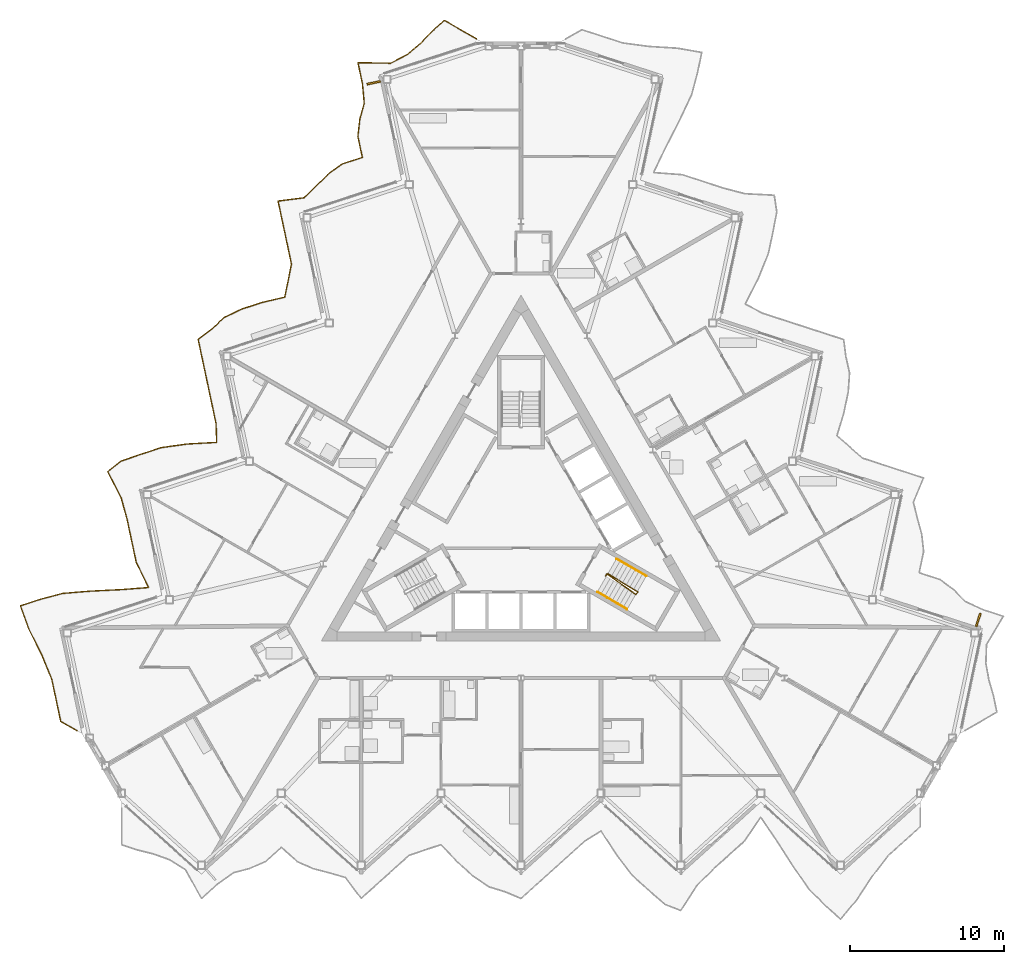
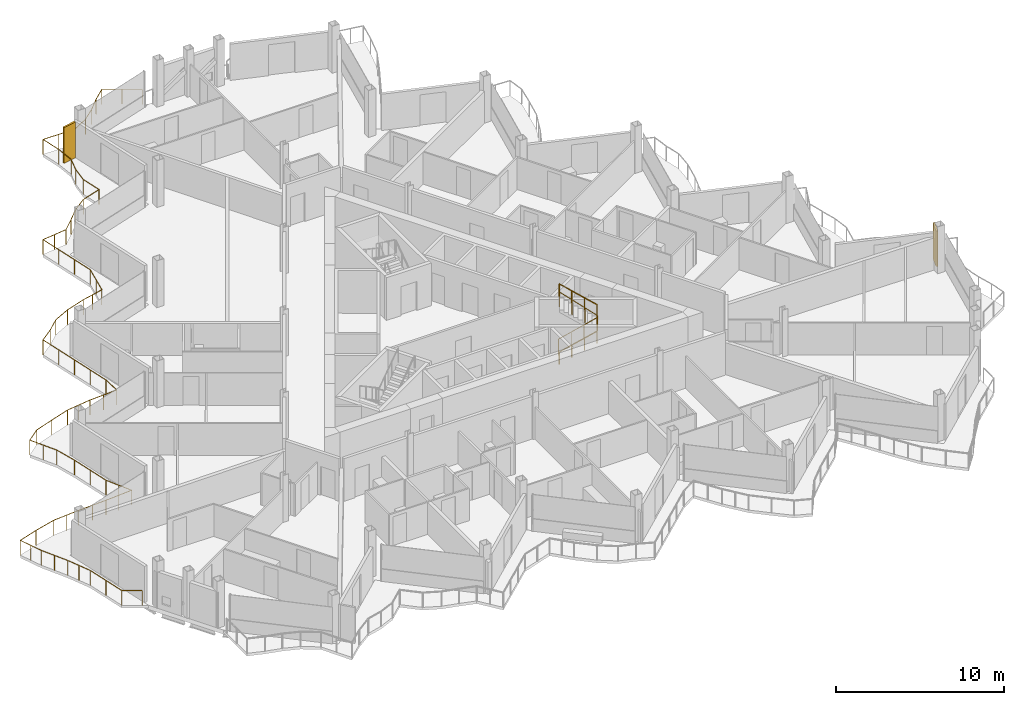
# One storey, part 23 of 26: 4 railings, 2 shading devices.
"""IFC4 building model written with IfcOpenShell, lengths in metres."""

from ifc_helpers import new_model, si_unit, direction, frame, origin, origin_2d, place, context, subcontext, project, spatial, rectangle, circle, extrude, material, layer, layer_set, type_object, element, save


model = new_model("IFC4")

# Units and contexts
model_context = context("Model", 3, precision=1e-05, world=origin(), true_north=direction((0.0, 1.0)))
body_context = subcontext(model_context, "Body", "Model", "MODEL_VIEW")
ifc_project = project(units=[si_unit("LENGTHUNIT", "METRE"), si_unit("AREAUNIT", "SQUARE_METRE"), si_unit("VOLUMEUNIT", "CUBIC_METRE"), si_unit("PLANEANGLEUNIT", "RADIAN"), si_unit("MASSUNIT", "GRAM", prefix="KILO")], contexts=[model_context])

# Site, building, storey
site_placement = place(None, origin())
site = spatial("IfcSite", under=ifc_project, at=site_placement, CompositionType="ELEMENT")
building_placement = place(site_placement, origin())
building = spatial("IfcBuilding", under=site, at=building_placement, Name="Cormorant Prow Tower", CompositionType="ELEMENT")
storey_placement = place(building_placement, frame((0.0, 0.0, 378.0)))
storey = spatial("IfcBuildingStorey", under=building, at=storey_placement, Name="L85", CompositionType="ELEMENT", Elevation=378.0)

# Railings
ifc_material_1 = material(Name="Aluminium 6063-T6", Category="aluminium")
railing_type_1 = type_object("IfcRailingType", Name="Balcony guard 1100", PredefinedType="GUARDRAIL", material=ifc_material_1)
railing_1_placement = place(storey_placement, frame((-2.9033203125, 31.698486328125, 0.0)))
element("IfcRailing", 1, at=railing_1_placement, inside=storey, type_object=railing_type_1, Name="Balcony guard WNW", PredefinedType="GUARDRAIL", context=body_context, shape_type="SweptSolid", body=[
    extrude(circle(Radius=0.02392578125, at=origin_2d()), frame((0.0, 0.0, 1.076171875), z_axis=(-0.866028295127, 0.499994992015, 0.0), x_axis=(-0.499994992015, -0.866028295127, 0.0)), (0.0, 0.0, 1.0), 2.40380859375),
    extrude(circle(Radius=0.02392578125, at=origin_2d()), frame((-2.081787109375, 1.201904296875, 1.076171875), z_axis=(-0.747028027556, -0.664792543615, 0.0), x_axis=(0.664792543615, -0.747028027556, 0.0)), (0.0, 0.0, 1.0), 1.095458984375),
    extrude(circle(Radius=0.02392578125, at=origin_2d()), frame((-2.900146484375, 0.4736328125, 1.076171875), z_axis=(-0.694236727025, -0.719746737992, 0.0), x_axis=(0.719746737992, -0.694236727025, 0.0)), (0.0, 0.0, 1.0), 1.07177734375),
    extrude(circle(Radius=0.02392578125, at=origin_2d()), frame((-3.644287109375, -0.2978515625, 1.076171875), z_axis=(-0.76253887215, -0.646942399647, 0.0), x_axis=(0.646942399647, -0.76253887215, 0.0)), (0.0, 0.0, 1.0), 1.1044921875),
    extrude(circle(Radius=0.02392578125, at=origin_2d()), frame((-4.486572265625, -1.012451171875, 1.076171875), z_axis=(-0.883594298779, -0.468253259641, 0.0), x_axis=(0.468253259641, -0.883594298779, 0.0)), (0.0, 0.0, 1.0), 1.227294921875),
    extrude(circle(Radius=0.02392578125, at=origin_2d()), frame((-5.571044921875, -1.587158203125, 1.076171875), z_axis=(-0.999868822817, 0.016196825558, 0.0), x_axis=(-0.016196825558, -0.999868822817, 0.0)), (0.0, 0.0, 1.0), 2.140380859375),
    extrude(circle(Radius=0.02392578125, at=origin_2d()), frame((-7.711181640625, -1.552490234375, 1.076171875), z_axis=(0.207812845083, -0.978168605823, 0.0), x_axis=(0.978168605823, 0.207812845083, 0.0)), (0.0, 0.0, 1.0), 1.399169921875),
    extrude(circle(Radius=0.02392578125, at=origin_2d()), frame((-7.42041015625, -2.921142578125, 1.076171875), z_axis=(0.092331865251, -0.995728289575, 0.0), x_axis=(0.995728289575, 0.092331865251, 0.0)), (0.0, 0.0, 1.0), 1.2744140625),
    extrude(circle(Radius=0.02392578125, at=origin_2d()), frame((-7.302734375, -4.190185546875, 1.076171875), z_axis=(-0.265615902579, -0.964078934682, 0.0), x_axis=(0.964078934682, -0.265615902579, 0.0)), (0.0, 0.0, 1.0), 1.074462890625),
    extrude(circle(Radius=0.02392578125, at=origin_2d()), frame((-7.588134765625, -5.22607421875, 1.076171875), z_axis=(-0.113242992784, -0.993567322624, 0.0), x_axis=(0.993567322624, -0.113242992784, 0.0)), (0.0, 0.0, 1.0), 1.134033203125),
    extrude(circle(Radius=0.02392578125, at=origin_2d()), frame((-7.716552734375, -6.352783203125, 1.076171875), z_axis=(0.207944297815, -0.978140669335, 0.0), x_axis=(0.978140669335, 0.207944297815, 0.0)), (0.0, 0.0, 1.0), 1.3994140625),
    extrude(circle(Radius=0.02392578125, at=origin_2d()), frame((-7.425537109375, -7.7216796875, 1.076171875), z_axis=(-0.951028941009, -0.309101849499, 0.0), x_axis=(0.309101849499, -0.951028941009, 0.0)), (0.0, 0.0, 1.0), 1.399658203125),
    extrude(circle(Radius=0.02392578125, at=origin_2d()), frame((-8.756591796875, -8.154296875, 1.076171875), z_axis=(-0.806097358344, -0.591782940672, 0.0), x_axis=(0.591782940672, -0.806097358344, 0.0)), (0.0, 0.0, 1.0), 1.1357421875),
    extrude(circle(Radius=0.02392578125, at=origin_2d()), frame((-9.672119140625, -8.826416015625, 1.076171875), z_axis=(-0.70254935374, -0.711635022718, 0.0), x_axis=(0.711635022718, -0.70254935374, 0.0)), (0.0, 0.0, 1.0), 1.074951171875),
    extrude(circle(Radius=0.02392578125, at=origin_2d()), frame((-10.42724609375, -9.59130859375, 1.076171875), z_axis=(-0.720069694102, -0.693901747825, 0.0), x_axis=(0.693901747825, -0.720069694102, 0.0)), (0.0, 0.0, 1.0), 1.082275390625),
    extrude(circle(Radius=0.02392578125, at=origin_2d()), frame((-11.20654296875, -10.34228515625, 1.076171875), z_axis=(-0.992011169579, -0.126150067104, 0.0), x_axis=(0.126150067104, -0.992011169579, 0.0)), (0.0, 0.0, 1.0), 1.718505859375),
    extrude(circle(Radius=0.02392578125, at=origin_2d()), frame((-12.911376953125, -10.55908203125, 1.076171875), z_axis=(0.207944297815, -0.978140669335, 0.0), x_axis=(0.978140669335, 0.207944297815, 0.0)), (0.0, 0.0, 1.0), 1.3994140625),
    extrude(circle(Radius=0.02392578125, at=origin_2d()), frame((-12.620361328125, -11.927978515625, 1.076171875), z_axis=(0.207944297815, -0.978140669335, 0.0), x_axis=(0.978140669335, 0.207944297815, 0.0)), (0.0, 0.0, 1.0), 1.3994140625),
    extrude(circle(Radius=0.02392578125, at=origin_2d()), frame((-12.329345703125, -13.296875, 1.076171875), z_axis=(0.207944297815, -0.978140669335, 0.0), x_axis=(0.978140669335, 0.207944297815, 0.0)), (0.0, 0.0, 1.0), 1.3994140625),
    extrude(circle(Radius=0.02392578125, at=origin_2d()), frame((-12.038330078125, -14.665771484375, 1.076171875), z_axis=(-0.198084601459, -0.980184926769, 0.0), x_axis=(0.980184926769, -0.198084601459, 0.0)), (0.0, 0.0, 1.0), 1.096923828125),
    extrude(circle(Radius=0.02392578125, at=origin_2d()), frame((-12.255615234375, -15.740966796875, 1.076171875), z_axis=(-0.203482527061, -0.979078577633, 0.0), x_axis=(0.979078577633, -0.203482527061, 0.0)), (0.0, 0.0, 1.0), 1.095458984375),
    extrude(circle(Radius=0.02392578125, at=origin_2d()), frame((-12.478515625, -16.8134765625, 1.076171875), z_axis=(-0.973469863135, -0.228815265154, 0.0), x_axis=(0.228815265154, -0.973469863135, 0.0)), (0.0, 0.0, 1.0), 1.518310546875),
    extrude(circle(Radius=0.02392578125, at=origin_2d()), frame((-13.95654296875, -17.160888671875, 1.076171875), z_axis=(-0.951080208938, -0.308944066403, 0.0), x_axis=(0.308944066403, -0.951080208938, 0.0)), (0.0, 0.0, 1.0), 1.3994140625),
    extrude(circle(Radius=0.02392578125, at=origin_2d()), frame((-15.28759765625, -17.59326171875, 1.076171875), z_axis=(-0.899160631428, -0.437618736905, 0.0), x_axis=(0.437618736905, -0.899160631428, 0.0)), (0.0, 0.0, 1.0), 1.255126953125),
    extrude(circle(Radius=0.02392578125, at=origin_2d()), frame((-16.416259765625, -18.142578125, 1.076171875), z_axis=(-0.733719269068, -0.679452746111, 0.0), x_axis=(0.679452746111, -0.733719269068, 0.0)), (0.0, 0.0, 1.0), 1.088623046875),
    extrude(circle(Radius=0.02392578125, at=origin_2d()), frame((-17.215087890625, -18.88232421875, 1.076171875), z_axis=(-0.795217846059, -0.606323822152, 0.0), x_axis=(0.606323822152, -0.795217846059, 0.0)), (0.0, 0.0, 1.0), 1.126953125),
    extrude(circle(Radius=0.02392578125, at=origin_2d()), frame((-18.111328125, -19.565673828125, 1.076171875), z_axis=(0.207944297815, -0.978140669335, 0.0), x_axis=(0.978140669335, 0.207944297815, 0.0)), (0.0, 0.0, 1.0), 1.3994140625),
    extrude(circle(Radius=0.02392578125, at=origin_2d()), frame((-17.8203125, -20.9345703125, 1.076171875), z_axis=(0.207944297815, -0.978140669335, 0.0), x_axis=(0.978140669335, 0.207944297815, 0.0)), (0.0, 0.0, 1.0), 1.3994140625),
    extrude(circle(Radius=0.02392578125, at=origin_2d()), frame((-17.529296875, -22.303466796875, 1.076171875), z_axis=(0.207944297815, -0.978140669335, 0.0), x_axis=(0.978140669335, 0.207944297815, 0.0)), (0.0, 0.0, 1.0), 1.3994140625),
    extrude(circle(Radius=0.02392578125, at=origin_2d()), frame((-17.23828125, -23.67236328125, 1.076171875), z_axis=(0.20777738218, -0.978176139279, 0.0), x_axis=(0.978176139279, 0.20777738218, 0.0)), (0.0, 0.0, 1.0), 1.3994140625),
    extrude(circle(Radius=0.02392578125, at=origin_2d()), frame((-16.947509765625, -25.041259765625, 1.076171875), z_axis=(0.031128847929, -0.999515379985, 0.0), x_axis=(0.999515379985, 0.031128847929, 0.0)), (0.0, 0.0, 1.0), 1.223388671875),
    extrude(circle(Radius=0.02392578125, at=origin_2d()), frame((-16.909423828125, -26.26416015625, 1.076171875), z_axis=(-0.998465882312, -0.05537040598, 0.0), x_axis=(0.05537040598, -0.998465882312, 0.0)), (0.0, 0.0, 1.0), 1.900390625),
    extrude(circle(Radius=0.02392578125, at=origin_2d()), frame((-18.806884765625, -26.369384765625, 1.076171875), z_axis=(-0.99070891835, -0.13599940846, 0.0), x_axis=(0.13599940846, -0.99070891835, 0.0)), (0.0, 0.0, 1.0), 1.696533203125),
    extrude(circle(Radius=0.02392578125, at=origin_2d()), frame((-20.487548828125, -26.60009765625, 1.076171875), z_axis=(-0.951063554534, -0.308995332064, 0.0), x_axis=(0.308995332064, -0.951063554534, 0.0)), (0.0, 0.0, 1.0), 1.399169921875),
    extrude(circle(Radius=0.02392578125, at=origin_2d()), frame((-21.818359375, -27.032470703125, 1.076171875), z_axis=(-0.945316455865, -0.326154561934, 0.0), x_axis=(0.326154561934, -0.945316455865, 0.0)), (0.0, 0.0, 1.0), 1.377197265625),
    extrude(circle(Radius=0.02392578125, at=origin_2d()), frame((-23.120361328125, -27.481689453125, 1.076171875), z_axis=(-0.781124687772, -0.624375065288, 0.0), x_axis=(0.624375065288, -0.781124687772, 0.0)), (0.0, 0.0, 1.0), 1.11669921875),
    extrude(circle(Radius=0.02392578125, at=origin_2d()), frame((-23.99267578125, -28.178955078125, 1.076171875), z_axis=(0.456008801075, -0.889975265579, 0.0), x_axis=(0.889975265579, 0.456008801075, 0.0)), (0.0, 0.0, 1.0), 1.916259765625),
    extrude(circle(Radius=0.02392578125, at=origin_2d()), frame((-23.118896484375, -29.88427734375, 1.076171875), z_axis=(0.263466814017, -0.9646684601, 0.0), x_axis=(0.9646684601, 0.263466814017, 0.0)), (0.0, 0.0, 1.0), 1.47802734375),
    extrude(circle(Radius=0.02392578125, at=origin_2d()), frame((-22.7294921875, -31.31005859375, 1.076171875), z_axis=(0.207944297815, -0.978140669335, 0.0), x_axis=(0.978140669335, 0.207944297815, 0.0)), (0.0, 0.0, 1.0), 1.3994140625),
    extrude(circle(Radius=0.02392578125, at=origin_2d()), frame((-22.4384765625, -32.678955078125, 1.076171875), z_axis=(0.207944297815, -0.978140669335, 0.0), x_axis=(0.978140669335, 0.207944297815, 0.0)), (0.0, 0.0, 1.0), 1.3994140625),
    extrude(circle(Radius=0.02392578125, at=origin_2d()), frame((-22.1474609375, -34.0478515625, 1.076171875), z_axis=(0.434486752243, -0.90067822341, 0.0), x_axis=(0.90067822341, 0.434486752243, 0.0)), (0.0, 0.0, 1.0), 1.84814453125),
    extrude(circle(Radius=0.02392578125, at=origin_2d()), frame((-21.344482421875, -35.71240234375, 1.076171875), z_axis=(-0.997204239549, -0.074724190364, 0.0), x_axis=(0.074724190364, -0.997204239549, 0.0)), (0.0, 0.0, 1.0), 1.845947265625),
    extrude(circle(Radius=0.02392578125, at=origin_2d()), frame((-23.185302734375, -35.850341796875, 1.076171875), z_axis=(-0.998814010326, -0.048688528186, 0.0), x_axis=(0.048688528186, -0.998814010326, 0.0)), (0.0, 0.0, 1.0), 1.92041015625),
    extrude(circle(Radius=0.02392578125, at=origin_2d()), frame((-25.103515625, -35.94384765625, 1.076171875), z_axis=(-0.996687929832, -0.081321402635, 0.0), x_axis=(0.081321402635, -0.996687929832, 0.0)), (0.0, 0.0, 1.0), 1.828369140625),
    extrude(circle(Radius=0.02392578125, at=origin_2d()), frame((-26.92578125, -36.092529296875, 1.076171875), z_axis=(-0.966314659055, -0.257363516637, 0.0), x_axis=(0.257363516637, -0.966314659055, 0.0)), (0.0, 0.0, 1.0), 1.47314453125),
    extrude(circle(Radius=0.02392578125, at=origin_2d()), frame((-28.349365234375, -36.4716796875, 1.076171875), z_axis=(-0.951080208938, -0.308944066403, 0.0), x_axis=(0.308944066403, -0.951080208938, 0.0)), (0.0, 0.0, 1.0), 1.3994140625),
    extrude(circle(Radius=0.02392578125, at=origin_2d()), frame((-29.680419921875, -36.904052734375, 1.076171875), z_axis=(0.34291675065, -0.939365797825, 0.0), x_axis=(0.939365797825, 0.34291675065, 0.0)), (0.0, 0.0, 1.0), 1.61962890625),
    extrude(circle(Radius=0.02392578125, at=origin_2d()), frame((-29.125, -38.425537109375, 1.076171875), z_axis=(0.445968959957, -0.895048427045, 0.0), x_axis=(0.895048427045, 0.445968959957, 0.0)), (0.0, 0.0, 1.0), 1.8837890625),
    extrude(circle(Radius=0.02392578125, at=origin_2d()), frame((-28.284912109375, -40.111572265625, 1.076171875), z_axis=(0.379883781197, -0.925034222493, 0.0), x_axis=(0.925034222493, 0.379883781197, 0.0)), (0.0, 0.0, 1.0), 1.701904296875),
    extrude(circle(Radius=0.02392578125, at=origin_2d()), frame((-27.638427734375, -41.685791015625, 1.076171875), z_axis=(0.207979786632, -0.978133124044, 0.0), x_axis=(0.978133124044, 0.207979786632, 0.0)), (0.0, 0.0, 1.0), 1.399169921875),
    extrude(circle(Radius=0.02392578125, at=origin_2d()), frame((-27.347412109375, -43.054443359375, 1.076171875), z_axis=(0.207944297815, -0.978140669335, 0.0), x_axis=(0.978140669335, 0.207944297815, 0.0)), (0.0, 0.0, 1.0), 1.3994140625),
    extrude(circle(Radius=0.02392578125, at=origin_2d()), frame((-27.056396484375, -44.42333984375, 1.076171875), z_axis=(0.865955602162, -0.500120880472, 0.0), x_axis=(0.500120880472, 0.865955602162, 0.0)), (0.0, 0.0, 1.0), 1.219970703125),
    extrude(circle(Radius=0.02099609375, at=origin_2d()), origin(), (0.0, 0.0, 1.0), 1.052001953125),
    extrude(circle(Radius=0.02099609375, at=origin_2d()), frame((-1.041015625, 0.60107421875, 0.0)), (0.0, 0.0, 1.0), 1.052001953125),
    extrude(circle(Radius=0.02099609375, at=origin_2d()), frame((-2.081787109375, 1.201904296875, 0.0)), (0.0, 0.0, 1.0), 1.052001953125),
    extrude(circle(Radius=0.02099609375, at=origin_2d()), frame((-2.900146484375, 0.4736328125, 0.0)), (0.0, 0.0, 1.0), 1.052001953125),
    extrude(circle(Radius=0.02099609375, at=origin_2d()), frame((-3.644287109375, -0.2978515625, 0.0)), (0.0, 0.0, 1.0), 1.052001953125),
    extrude(circle(Radius=0.02099609375, at=origin_2d()), frame((-4.486572265625, -1.012451171875, 0.0)), (0.0, 0.0, 1.0), 1.052001953125),
    extrude(circle(Radius=0.02099609375, at=origin_2d()), frame((-5.571044921875, -1.587158203125, 0.0)), (0.0, 0.0, 1.0), 1.052001953125),
    extrude(circle(Radius=0.02099609375, at=origin_2d()), frame((-6.64111328125, -1.56982421875, 0.0)), (0.0, 0.0, 1.0), 1.052001953125),
    extrude(circle(Radius=0.02099609375, at=origin_2d()), frame((-7.711181640625, -1.552490234375, 0.0)), (0.0, 0.0, 1.0), 1.052001953125),
    extrude(circle(Radius=0.02099609375, at=origin_2d()), frame((-7.42041015625, -2.921142578125, 0.0)), (0.0, 0.0, 1.0), 1.052001953125),
    extrude(circle(Radius=0.02099609375, at=origin_2d()), frame((-7.302734375, -4.190185546875, 0.0)), (0.0, 0.0, 1.0), 1.052001953125),
    extrude(circle(Radius=0.02099609375, at=origin_2d()), frame((-7.588134765625, -5.22607421875, 0.0)), (0.0, 0.0, 1.0), 1.052001953125),
    extrude(circle(Radius=0.02099609375, at=origin_2d()), frame((-7.716552734375, -6.352783203125, 0.0)), (0.0, 0.0, 1.0), 1.052001953125),
    extrude(circle(Radius=0.02099609375, at=origin_2d()), frame((-7.425537109375, -7.7216796875, 0.0)), (0.0, 0.0, 1.0), 1.052001953125),
    extrude(circle(Radius=0.02099609375, at=origin_2d()), frame((-8.756591796875, -8.154296875, 0.0)), (0.0, 0.0, 1.0), 1.052001953125),
    extrude(circle(Radius=0.02099609375, at=origin_2d()), frame((-9.672119140625, -8.826416015625, 0.0)), (0.0, 0.0, 1.0), 1.052001953125),
    extrude(circle(Radius=0.02099609375, at=origin_2d()), frame((-10.42724609375, -9.59130859375, 0.0)), (0.0, 0.0, 1.0), 1.052001953125),
    extrude(circle(Radius=0.02099609375, at=origin_2d()), frame((-11.20654296875, -10.34228515625, 0.0)), (0.0, 0.0, 1.0), 1.052001953125),
    extrude(circle(Radius=0.02099609375, at=origin_2d()), frame((-12.05908203125, -10.45068359375, 0.0)), (0.0, 0.0, 1.0), 1.052001953125),
    extrude(circle(Radius=0.02099609375, at=origin_2d()), frame((-12.911376953125, -10.55908203125, 0.0)), (0.0, 0.0, 1.0), 1.052001953125),
    extrude(circle(Radius=0.02099609375, at=origin_2d()), frame((-12.620361328125, -11.927978515625, 0.0)), (0.0, 0.0, 1.0), 1.052001953125),
    extrude(circle(Radius=0.02099609375, at=origin_2d()), frame((-12.329345703125, -13.296875, 0.0)), (0.0, 0.0, 1.0), 1.052001953125),
    extrude(circle(Radius=0.02099609375, at=origin_2d()), frame((-12.038330078125, -14.665771484375, 0.0)), (0.0, 0.0, 1.0), 1.052001953125),
    extrude(circle(Radius=0.02099609375, at=origin_2d()), frame((-12.255615234375, -15.740966796875, 0.0)), (0.0, 0.0, 1.0), 1.052001953125),
    extrude(circle(Radius=0.02099609375, at=origin_2d()), frame((-12.478515625, -16.8134765625, 0.0)), (0.0, 0.0, 1.0), 1.052001953125),
    extrude(circle(Radius=0.02099609375, at=origin_2d()), frame((-13.217529296875, -16.9873046875, 0.0)), (0.0, 0.0, 1.0), 1.052001953125),
    extrude(circle(Radius=0.02099609375, at=origin_2d()), frame((-13.95654296875, -17.160888671875, 0.0)), (0.0, 0.0, 1.0), 1.052001953125),
    extrude(circle(Radius=0.02099609375, at=origin_2d()), frame((-15.28759765625, -17.59326171875, 0.0)), (0.0, 0.0, 1.0), 1.052001953125),
    extrude(circle(Radius=0.02099609375, at=origin_2d()), frame((-16.416259765625, -18.142578125, 0.0)), (0.0, 0.0, 1.0), 1.052001953125),
    extrude(circle(Radius=0.02099609375, at=origin_2d()), frame((-17.215087890625, -18.88232421875, 0.0)), (0.0, 0.0, 1.0), 1.052001953125),
    extrude(circle(Radius=0.02099609375, at=origin_2d()), frame((-18.111328125, -19.565673828125, 0.0)), (0.0, 0.0, 1.0), 1.052001953125),
    extrude(circle(Radius=0.02099609375, at=origin_2d()), frame((-17.8203125, -20.9345703125, 0.0)), (0.0, 0.0, 1.0), 1.052001953125),
    extrude(circle(Radius=0.02099609375, at=origin_2d()), frame((-17.529296875, -22.303466796875, 0.0)), (0.0, 0.0, 1.0), 1.052001953125),
    extrude(circle(Radius=0.02099609375, at=origin_2d()), frame((-17.23828125, -23.67236328125, 0.0)), (0.0, 0.0, 1.0), 1.052001953125),
    extrude(circle(Radius=0.02099609375, at=origin_2d()), frame((-16.947509765625, -25.041259765625, 0.0)), (0.0, 0.0, 1.0), 1.052001953125),
    extrude(circle(Radius=0.02099609375, at=origin_2d()), frame((-16.909423828125, -26.26416015625, 0.0)), (0.0, 0.0, 1.0), 1.052001953125),
    extrude(circle(Radius=0.02099609375, at=origin_2d()), frame((-17.858154296875, -26.31689453125, 0.0)), (0.0, 0.0, 1.0), 1.052001953125),
    extrude(circle(Radius=0.02099609375, at=origin_2d()), frame((-18.806884765625, -26.369384765625, 0.0)), (0.0, 0.0, 1.0), 1.052001953125),
    extrude(circle(Radius=0.02099609375, at=origin_2d()), frame((-19.647216796875, -26.48486328125, 0.0)), (0.0, 0.0, 1.0), 1.052001953125),
    extrude(circle(Radius=0.02099609375, at=origin_2d()), frame((-20.487548828125, -26.60009765625, 0.0)), (0.0, 0.0, 1.0), 1.052001953125),
    extrude(circle(Radius=0.02099609375, at=origin_2d()), frame((-21.818359375, -27.032470703125, 0.0)), (0.0, 0.0, 1.0), 1.052001953125),
    extrude(circle(Radius=0.02099609375, at=origin_2d()), frame((-23.120361328125, -27.481689453125, 0.0)), (0.0, 0.0, 1.0), 1.052001953125),
    extrude(circle(Radius=0.02099609375, at=origin_2d()), frame((-23.99267578125, -28.178955078125, 0.0)), (0.0, 0.0, 1.0), 1.052001953125),
    extrude(circle(Radius=0.02099609375, at=origin_2d()), frame((-23.5556640625, -29.03173828125, 0.0)), (0.0, 0.0, 1.0), 1.052001953125),
    extrude(circle(Radius=0.02099609375, at=origin_2d()), frame((-23.118896484375, -29.88427734375, 0.0)), (0.0, 0.0, 1.0), 1.052001953125),
    extrude(circle(Radius=0.02099609375, at=origin_2d()), frame((-22.7294921875, -31.31005859375, 0.0)), (0.0, 0.0, 1.0), 1.052001953125),
    extrude(circle(Radius=0.02099609375, at=origin_2d()), frame((-22.4384765625, -32.678955078125, 0.0)), (0.0, 0.0, 1.0), 1.052001953125),
    extrude(circle(Radius=0.02099609375, at=origin_2d()), frame((-22.1474609375, -34.0478515625, 0.0)), (0.0, 0.0, 1.0), 1.052001953125),
    extrude(circle(Radius=0.02099609375, at=origin_2d()), frame((-21.74609375, -34.880126953125, 0.0)), (0.0, 0.0, 1.0), 1.052001953125),
    extrude(circle(Radius=0.02099609375, at=origin_2d()), frame((-21.344482421875, -35.71240234375, 0.0)), (0.0, 0.0, 1.0), 1.052001953125),
    extrude(circle(Radius=0.02099609375, at=origin_2d()), frame((-22.264892578125, -35.78125, 0.0)), (0.0, 0.0, 1.0), 1.052001953125),
    extrude(circle(Radius=0.02099609375, at=origin_2d()), frame((-23.185302734375, -35.850341796875, 0.0)), (0.0, 0.0, 1.0), 1.052001953125),
    extrude(circle(Radius=0.02099609375, at=origin_2d()), frame((-24.14453125, -35.89697265625, 0.0)), (0.0, 0.0, 1.0), 1.052001953125),
    extrude(circle(Radius=0.02099609375, at=origin_2d()), frame((-25.103515625, -35.94384765625, 0.0)), (0.0, 0.0, 1.0), 1.052001953125),
    extrude(circle(Radius=0.02099609375, at=origin_2d()), frame((-26.0146484375, -36.01806640625, 0.0)), (0.0, 0.0, 1.0), 1.052001953125),
    extrude(circle(Radius=0.02099609375, at=origin_2d()), frame((-26.92578125, -36.092529296875, 0.0)), (0.0, 0.0, 1.0), 1.052001953125),
    extrude(circle(Radius=0.02099609375, at=origin_2d()), frame((-28.349365234375, -36.4716796875, 0.0)), (0.0, 0.0, 1.0), 1.052001953125),
    extrude(circle(Radius=0.02099609375, at=origin_2d()), frame((-29.680419921875, -36.904052734375, 0.0)), (0.0, 0.0, 1.0), 1.052001953125),
    extrude(circle(Radius=0.02099609375, at=origin_2d()), frame((-29.40283203125, -37.664794921875, 0.0)), (0.0, 0.0, 1.0), 1.052001953125),
    extrude(circle(Radius=0.02099609375, at=origin_2d()), frame((-29.125, -38.425537109375, 0.0)), (0.0, 0.0, 1.0), 1.052001953125),
    extrude(circle(Radius=0.02099609375, at=origin_2d()), frame((-28.705078125, -39.2685546875, 0.0)), (0.0, 0.0, 1.0), 1.052001953125),
    extrude(circle(Radius=0.02099609375, at=origin_2d()), frame((-28.284912109375, -40.111572265625, 0.0)), (0.0, 0.0, 1.0), 1.052001953125),
    extrude(circle(Radius=0.02099609375, at=origin_2d()), frame((-27.961669921875, -40.898681640625, 0.0)), (0.0, 0.0, 1.0), 1.052001953125),
    extrude(circle(Radius=0.02099609375, at=origin_2d()), frame((-27.638427734375, -41.685791015625, 0.0)), (0.0, 0.0, 1.0), 1.052001953125),
    extrude(circle(Radius=0.02099609375, at=origin_2d()), frame((-27.347412109375, -43.054443359375, 0.0)), (0.0, 0.0, 1.0), 1.052001953125),
    extrude(circle(Radius=0.02099609375, at=origin_2d()), frame((-27.056396484375, -44.42333984375, 0.0)), (0.0, 0.0, 1.0), 1.052001953125),
    extrude(circle(Radius=0.02099609375, at=origin_2d()), frame((-26.0, -45.033447265625, 0.0)), (0.0, 0.0, 1.0), 1.052001953125),
])
ifc_material_2 = material(Name="Stainless steel", Category="steel")
railing_type_2 = type_object("IfcRailingType", Name="Stair guard 1100", PredefinedType="GUARDRAIL", material=ifc_material_2)
railing_2_placement = place(storey_placement, frame((5.510009765625, -3.267822265625, 0.0)))
element("IfcRailing", 2, at=railing_2_placement, inside=storey, type_object=railing_type_2, Name="L85 ST2 stair guard 1", PredefinedType="GUARDRAIL", context=body_context, shape_type="SweptSolid", body=[
    extrude(circle(Radius=0.02392578125, at=origin_2d()), frame((0.0, 0.0, 1.076171875), z_axis=(0.501036270542, 0.865426285481, 0.0), x_axis=(-0.865426285481, 0.501036270542, 0.0)), (0.0, 0.0, 1.0), 0.150146484375),
    extrude(circle(Radius=0.02392578125, at=origin_2d()), frame((0.0751953125, 0.1298828125, 1.076171875), z_axis=(0.658670593711, -0.461060875852, 0.594622500196), x_axis=(0.573455215813, 0.819236910458, 0.0)), (0.0, 0.0, 1.0), 2.85888671875),
    extrude(circle(Radius=0.02392578125, at=origin_2d()), frame((1.958251953125, -1.188232421875, 2.77587890625), z_axis=(0.695164929852, 0.718850276695, 0.0), x_axis=(-0.718850276695, 0.695164929852, 0.0)), (0.0, 0.0, 1.0), 0.2060546875),
    extrude(circle(Radius=0.02392578125, at=origin_2d()), frame((2.1015625, -1.0400390625, 2.77587890625), z_axis=(-0.686515364547, 0.416565300991, 0.595961411712), x_axis=(-0.518752825935, -0.854924268918, 0.0)), (0.0, 0.0, 1.0), 2.8525390625),
    extrude(circle(Radius=0.02099609375, at=origin_2d()), origin(), (0.0, 0.0, 1.0), 1.052001953125),
    extrude(circle(Radius=0.02099609375, at=origin_2d()), frame((0.0751953125, 0.1298828125, 0.0)), (0.0, 0.0, 1.0), 1.052001953125),
    extrude(circle(Radius=0.02099609375, at=origin_2d()), frame((0.702880859375, -0.3095703125, 0.566650390625)), (0.0, 0.0, 1.0), 1.052001953125),
    extrude(circle(Radius=0.02099609375, at=origin_2d()), frame((1.33056640625, -0.748779296875, 1.13330078125)), (0.0, 0.0, 1.0), 1.052001953125),
    extrude(circle(Radius=0.02099609375, at=origin_2d()), frame((1.958251953125, -1.188232421875, 1.699951171875)), (0.0, 0.0, 1.0), 1.052001953125),
    extrude(circle(Radius=0.02099609375, at=origin_2d()), frame((2.1015625, -1.0400390625, 1.699951171875)), (0.0, 0.0, 1.0), 1.052001953125),
    extrude(circle(Radius=0.02099609375, at=origin_2d()), frame((1.44873046875, -0.64404296875, 2.2666015625)), (0.0, 0.0, 1.0), 1.052001953125),
    extrude(circle(Radius=0.02099609375, at=origin_2d()), frame((0.796142578125, -0.247802734375, 2.833251953125)), (0.0, 0.0, 1.0), 1.052001953125),
    extrude(circle(Radius=0.02099609375, at=origin_2d()), frame((0.143310546875, 0.148193359375, 3.39990234375)), (0.0, 0.0, 1.0), 1.052001953125),
])
ifc_material_3 = material(Name="Stainless steel", Category="steel")
railing_type_3 = type_object("IfcRailingType", Name="Stair handrail 900", PredefinedType="HANDRAIL", material=ifc_material_3)
railing_3_placement = place(storey_placement, frame((4.968994140625, -4.30517578125, 0.18896484375)))
element("IfcRailing", 3, at=railing_3_placement, inside=storey, type_object=railing_type_3, Name="L85 ST2 stair handrail 1", PredefinedType="HANDRAIL", context=body_context, shape_type="SweptSolid", body=[
    extrude(circle(Radius=0.02392578125, at=origin_2d()), frame((0.0, 0.0, 0.8759765625), z_axis=(0.71790592183, -0.414569209485, 0.559234707389), x_axis=(0.500077830873, 0.865980463445, 0.0)), (0.0, 0.0, 1.0), 2.701904296875),
    extrude(circle(Radius=0.02099609375, at=origin_2d()), origin(), (0.0, 0.0, 1.0), 0.851806640625),
    extrude(circle(Radius=0.02099609375, at=origin_2d()), frame((0.646484375, -0.373291015625, 0.503662109375)), (0.0, 0.0, 1.0), 0.851806640625),
    extrude(circle(Radius=0.02099609375, at=origin_2d()), frame((1.293212890625, -0.746826171875, 1.00732421875)), (0.0, 0.0, 1.0), 0.851806640625),
    extrude(circle(Radius=0.02099609375, at=origin_2d()), frame((1.939697265625, -1.1201171875, 1.510986328125)), (0.0, 0.0, 1.0), 0.851806640625),
])
railing_4_placement = place(storey_placement, frame((8.15283203125, -3.2705078125, 1.888916015625)))
element("IfcRailing", 4, at=railing_4_placement, inside=storey, type_object=railing_type_3, Name="L85 ST2 stair handrail 2", PredefinedType="HANDRAIL", context=body_context, shape_type="SweptSolid", body=[
    extrude(circle(Radius=0.02392578125, at=origin_2d()), frame((0.0, 0.0, 0.8759765625), z_axis=(-0.717976596433, 0.414467486514, 0.559219375198), x_axis=(-0.49994888933, -0.866054910533, 0.0)), (0.0, 0.0, 1.0), 2.701904296875),
    extrude(circle(Radius=0.02099609375, at=origin_2d()), origin(), (0.0, 0.0, 1.0), 0.851806640625),
    extrude(circle(Radius=0.02099609375, at=origin_2d()), frame((-0.646728515625, 0.373291015625, 0.503662109375)), (0.0, 0.0, 1.0), 0.851806640625),
    extrude(circle(Radius=0.02099609375, at=origin_2d()), frame((-1.293212890625, 0.74658203125, 1.00732421875)), (0.0, 0.0, 1.0), 0.851806640625),
    extrude(circle(Radius=0.02099609375, at=origin_2d()), frame((-1.93994140625, 1.119873046875, 1.510986328125)), (0.0, 0.0, 1.0), 0.851806640625),
])

# Shading devices
ifc_material_4 = material(Name="Terracotta", Category="masonry")
ifc_layer = layer(ifc_material_4, 0.1201171875)
ifc_layer_set = layer_set([ifc_layer], Name="Terracotta")
shading_device_type = type_object("IfcShadingDeviceType", Name="Terracotta baguette fin 120x900x2600", PredefinedType="USERDEFINED", material=ifc_layer_set)
for number, where, z_axis, x_axis, name in (
    (5, (29.762939453125, -6.120849609375, 0.0), (0.0, 0.0, 1.0), (-0.951056492904, 0.309017066365, 0.0), "Baguette fin ENE01"),
    (6, (-9.58056640625, 28.8359375, 0.0), (0.0, 0.0, 1.0), (0.207911649162, -0.978147609588, 0.0), "Baguette fin WNW01"),
):
    element("IfcShadingDevice", number, at=place(storey_placement, frame(where, z_axis=z_axis, x_axis=x_axis)), inside=storey, type_object=shading_device_type, Name=name, ObjectType="BAGUETTE", PredefinedType="USERDEFINED", context=body_context, shape_type="SweptSolid", body=[
        extrude(rectangle(XDim=0.1201171875, YDim=0.89990234375, at=origin_2d()), origin(), (0.0, 0.0, 1.0), 2.60009765625),
    ])

save(model, "model.ifc")
